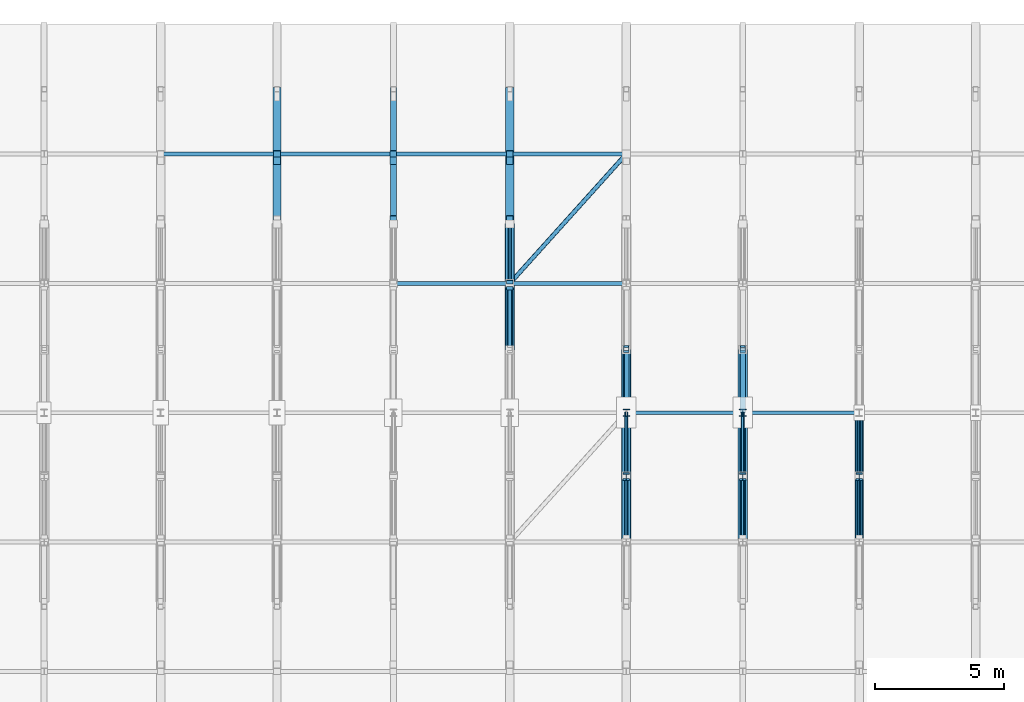
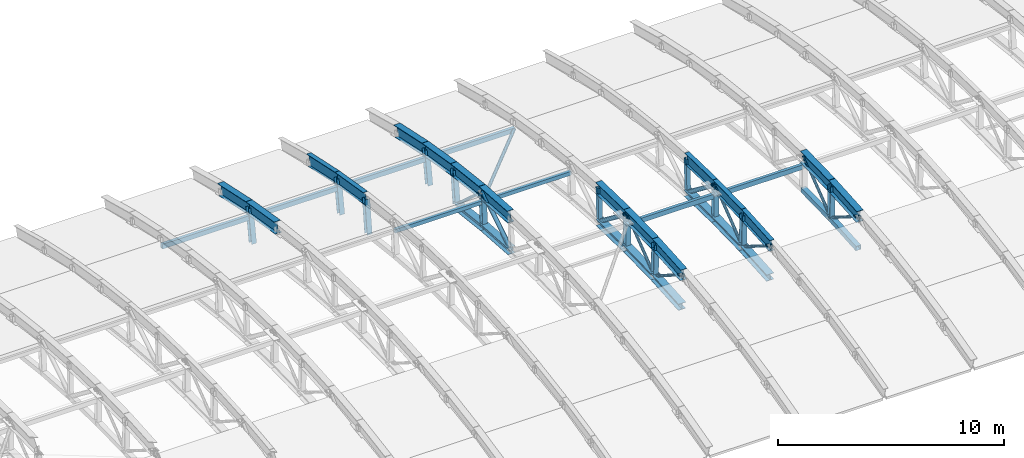
# One storey, part 25 of 53: 42 members, 16 beams.
"""IFC4 building model written with IfcOpenShell, lengths in metres."""

from ifc_helpers import new_model, si_unit, direction, frame, origin, origin_2d, place, context, subcontext, project, spatial, hollow_rectangle, hollow_circle, i_section, extrude, material, material_profile, profile_set, type_object, element, save


model = new_model("IFC4")

# Units and contexts
model_context = context("Model", 3, precision=1e-05, world=origin(), true_north=direction((0.0, 1.0)))
body_context = subcontext(model_context, "Body", "Model", "MODEL_VIEW")
ifc_project = project(units=[si_unit("LENGTHUNIT", "METRE"), si_unit("AREAUNIT", "SQUARE_METRE"), si_unit("VOLUMEUNIT", "CUBIC_METRE"), si_unit("PLANEANGLEUNIT", "RADIAN"), si_unit("MASSUNIT", "GRAM", prefix="KILO")], contexts=[model_context])

# Site, building, storey
site_placement = place(None, origin())
site = spatial("IfcSite", under=ifc_project, at=site_placement, CompositionType="ELEMENT")
building_placement = place(site_placement, origin())
building = spatial("IfcBuilding", under=site, at=building_placement, Name="Cazmaro Siding Exhibition Halls", CompositionType="ELEMENT")
storey_placement = place(building_placement, frame((0.0, 0.0, 21.0)))
storey = spatial("IfcBuildingStorey", under=building, at=storey_placement, Name="L04", CompositionType="ELEMENT", Elevation=21.0)

# Beams
ifc_material_1 = material(Name="Steel ASTM A992 Grade 50", Category="steel")
ifc_material_profile_1 = material_profile(ifc_material_1, i_section(OverallWidth=0.327880859375, OverallDepth=0.626953125, WebThickness=0.01708984375, FlangeThickness=0.028076171875, at=origin_2d()), Name="W24X146")
ifc_profile_set_1 = profile_set([ifc_material_profile_1], Name="Steel ASTM A992 Grade 50")
beam_type_1 = type_object("IfcBeamType", Name="AR-01", PredefinedType="USERDEFINED", material=ifc_profile_set_1)
beam_1_placement = place(storey_placement, frame((139.5, 96.5, 2.44189453125), z_axis=(0.0, 0.997537204184, -0.070139334669), x_axis=(-1.0, 0.0, 0.0)))
element("IfcBeam", 1, at=beam_1_placement, inside=storey, type_object=beam_type_1, Name="Space frame barrel vault arched rib AR-01 BM-1052", ObjectType="ARCHED RIB", PredefinedType="USERDEFINED", context=body_context, shape_type="SweptSolid", body=[
    extrude(i_section(OverallWidth=0.327880859375, OverallDepth=0.626953125, WebThickness=0.01708984375, FlangeThickness=0.028076171875, at=origin_2d()), origin(), (0.0, 0.0, 1.0), 2.506103515625),
])
beam_2_placement = place(storey_placement, frame((139.5, 99.0, 2.26611328125), z_axis=(0.0, 0.993147293786, -0.116869383693), x_axis=(-1.0, 0.0, 0.0)))
element("IfcBeam", 2, at=beam_2_placement, inside=storey, type_object=beam_type_1, Name="Space frame barrel vault arched rib AR-01 BM-1053", ObjectType="ARCHED RIB", PredefinedType="USERDEFINED", context=body_context, shape_type="SweptSolid", body=[
    extrude(i_section(OverallWidth=0.327880859375, OverallDepth=0.626953125, WebThickness=0.01708984375, FlangeThickness=0.028076171875, at=origin_2d()), origin(), (0.0, 0.0, 1.0), 2.517333984375),
])
beam_3_placement = place(storey_placement, frame((139.5, 101.5, 1.971923828125), z_axis=(0.0, 0.98649787474, -0.163774061236), x_axis=(-1.0, 0.0, 0.0)))
element("IfcBeam", 3, at=beam_3_placement, inside=storey, type_object=beam_type_1, Name="Space frame barrel vault arched rib AR-01 BM-1054", ObjectType="ARCHED RIB", PredefinedType="USERDEFINED", context=body_context, shape_type="SweptSolid", body=[
    extrude(i_section(OverallWidth=0.327880859375, OverallDepth=0.626953125, WebThickness=0.01708984375, FlangeThickness=0.028076171875, at=origin_2d()), origin(), (0.0, 0.0, 1.0), 2.5341796875),
])
beam_4_placement = place(storey_placement, frame((139.5, 104.0, 1.556884765625), z_axis=(0.0, 0.977710100146, -0.209959424826), x_axis=(-1.0, 0.0, 0.0)))
element("IfcBeam", 4, at=beam_4_placement, inside=storey, type_object=beam_type_1, Name="Space frame barrel vault arched rib AR-01 BM-1055", ObjectType="ARCHED RIB", PredefinedType="USERDEFINED", context=body_context, shape_type="SweptSolid", body=[
    extrude(i_section(OverallWidth=0.327880859375, OverallDepth=0.626953125, WebThickness=0.01708984375, FlangeThickness=0.028076171875, at=origin_2d()), origin(), (0.0, 0.0, 1.0), 2.556884765625),
])
beam_5_placement = place(storey_placement, frame((153.0, 89.0, 2.26611328125), z_axis=(0.0, 0.997537204184, 0.070139334669), x_axis=(-1.0, 0.0, 0.0)))
element("IfcBeam", 5, at=beam_5_placement, inside=storey, type_object=beam_type_1, Name="Space frame barrel vault arched rib AR-01 BM-1121", ObjectType="ARCHED RIB", PredefinedType="USERDEFINED", context=body_context, shape_type="SweptSolid", body=[
    extrude(i_section(OverallWidth=0.327880859375, OverallDepth=0.626953125, WebThickness=0.01708984375, FlangeThickness=0.028076171875, at=origin_2d()), origin(), (0.0, 0.0, 1.0), 2.506103515625),
])
beam_6_placement = place(storey_placement, frame((153.0, 91.5, 2.44189453125), z_axis=(0.0, 0.999730009742, 0.023235912336), x_axis=(-1.0, 0.0, 0.0)))
element("IfcBeam", 6, at=beam_6_placement, inside=storey, type_object=beam_type_1, Name="Space frame barrel vault arched rib AR-01 BM-1122", ObjectType="ARCHED RIB", PredefinedType="USERDEFINED", context=body_context, shape_type="SweptSolid", body=[
    extrude(i_section(OverallWidth=0.327880859375, OverallDepth=0.626953125, WebThickness=0.01708984375, FlangeThickness=0.028076171875, at=origin_2d()), origin(), (0.0, 0.0, 1.0), 2.500732421875),
])
ifc_material_2 = material(Name="Steel ASTM A992 Grade 50", Category="steel")
ifc_material_profile_2 = material_profile(ifc_material_2, i_section(OverallWidth=0.324951171875, OverallDepth=0.612060546875, WebThickness=0.012939453125, FlangeThickness=0.01904296875, at=origin_2d()), Name="W24X104")
ifc_profile_set_2 = profile_set([ifc_material_profile_2], Name="Steel ASTM A992 Grade 50")
beam_type_2 = type_object("IfcBeamType", Name="AR-02", PredefinedType="USERDEFINED", material=ifc_profile_set_2)
beam_7_placement = place(storey_placement, frame((130.5, 101.5, 1.971923828125), z_axis=(0.0, 0.98649787474, -0.163774061236), x_axis=(-1.0, 0.0, 0.0)))
element("IfcBeam", 7, at=beam_7_placement, inside=storey, type_object=beam_type_2, Name="Space frame barrel vault arched rib AR-02 BM-1006", ObjectType="ARCHED RIB", PredefinedType="USERDEFINED", context=body_context, shape_type="SweptSolid", body=[
    extrude(i_section(OverallWidth=0.324951171875, OverallDepth=0.612060546875, WebThickness=0.012939453125, FlangeThickness=0.01904296875, at=origin_2d()), origin(), (0.0, 0.0, 1.0), 2.5341796875),
])
beam_8_placement = place(storey_placement, frame((130.5, 104.0, 1.556884765625), z_axis=(0.0, 0.977710100146, -0.209959424826), x_axis=(-1.0, 0.0, 0.0)))
element("IfcBeam", 8, at=beam_8_placement, inside=storey, type_object=beam_type_2, Name="Space frame barrel vault arched rib AR-02 BM-1007", ObjectType="ARCHED RIB", PredefinedType="USERDEFINED", context=body_context, shape_type="SweptSolid", body=[
    extrude(i_section(OverallWidth=0.324951171875, OverallDepth=0.612060546875, WebThickness=0.012939453125, FlangeThickness=0.01904296875, at=origin_2d()), origin(), (0.0, 0.0, 1.0), 2.556884765625),
])
beam_9_placement = place(storey_placement, frame((144.0, 89.0, 2.26611328125), z_axis=(0.0, 0.997537204184, 0.070139334669), x_axis=(-1.0, 0.0, 0.0)))
element("IfcBeam", 9, at=beam_9_placement, inside=storey, type_object=beam_type_2, Name="Space frame barrel vault arched rib AR-02 BM-1073", ObjectType="ARCHED RIB", PredefinedType="USERDEFINED", context=body_context, shape_type="SweptSolid", body=[
    extrude(i_section(OverallWidth=0.324951171875, OverallDepth=0.612060546875, WebThickness=0.012939453125, FlangeThickness=0.01904296875, at=origin_2d()), origin(), (0.0, 0.0, 1.0), 2.506103515625),
])
for number, where, z_axis, x_axis, name in (
    (10, (144.0, 91.5, 2.44189453125), (0.0, 0.999730009742, 0.023235912336), (-1.0, 0.0, 0.0), "Space frame barrel vault arched rib AR-02 BM-1074"),
    (11, (144.0, 94.0, 2.5), (0.0, 0.999730009742, -0.023235912336), (-1.0, 0.0, 0.0), "Space frame barrel vault arched rib AR-02 BM-1075"),
):
    element("IfcBeam", number, at=place(storey_placement, frame(where, z_axis=z_axis, x_axis=x_axis)), inside=storey, type_object=beam_type_2, Name=name, ObjectType="ARCHED RIB", PredefinedType="USERDEFINED", context=body_context, shape_type="SweptSolid", body=[
        extrude(i_section(OverallWidth=0.324951171875, OverallDepth=0.612060546875, WebThickness=0.012939453125, FlangeThickness=0.01904296875, at=origin_2d()), origin(), (0.0, 0.0, 1.0), 2.500732421875),
    ])
ifc_material_3 = material(Name="Steel ASTM A992 Grade 50", Category="steel")
ifc_material_profile_3 = material_profile(ifc_material_3, i_section(OverallWidth=0.22900390625, OverallDepth=0.612060546875, WebThickness=0.011962890625, FlangeThickness=0.02001953125, at=origin_2d()), Name="W24X84")
ifc_profile_set_3 = profile_set([ifc_material_profile_3], Name="Steel ASTM A992 Grade 50")
beam_type_3 = type_object("IfcBeamType", Name="AR-03", PredefinedType="USERDEFINED", material=ifc_profile_set_3)
beam_10_placement = place(storey_placement, frame((135.0, 101.5, 1.971923828125), z_axis=(0.0, 0.98649787474, -0.163774061236), x_axis=(-1.0, 0.0, 0.0)))
element("IfcBeam", 12, at=beam_10_placement, inside=storey, type_object=beam_type_3, Name="Space frame barrel vault arched rib AR-03 BM-1030", ObjectType="ARCHED RIB", PredefinedType="USERDEFINED", context=body_context, shape_type="SweptSolid", body=[
    extrude(i_section(OverallWidth=0.22900390625, OverallDepth=0.612060546875, WebThickness=0.011962890625, FlangeThickness=0.02001953125, at=origin_2d()), origin(), (0.0, 0.0, 1.0), 2.5341796875),
])
beam_11_placement = place(storey_placement, frame((135.0, 104.0, 1.556884765625), z_axis=(0.0, 0.977710100146, -0.209959424826), x_axis=(-1.0, 0.0, 0.0)))
element("IfcBeam", 13, at=beam_11_placement, inside=storey, type_object=beam_type_3, Name="Space frame barrel vault arched rib AR-03 BM-1031", ObjectType="ARCHED RIB", PredefinedType="USERDEFINED", context=body_context, shape_type="SweptSolid", body=[
    extrude(i_section(OverallWidth=0.22900390625, OverallDepth=0.612060546875, WebThickness=0.011962890625, FlangeThickness=0.02001953125, at=origin_2d()), origin(), (0.0, 0.0, 1.0), 2.556884765625),
])
beam_12_placement = place(storey_placement, frame((148.5, 89.0, 2.26611328125), z_axis=(0.0, 0.997537204184, 0.070139334669), x_axis=(-1.0, 0.0, 0.0)))
element("IfcBeam", 14, at=beam_12_placement, inside=storey, type_object=beam_type_3, Name="Space frame barrel vault arched rib AR-03 BM-1097", ObjectType="ARCHED RIB", PredefinedType="USERDEFINED", context=body_context, shape_type="SweptSolid", body=[
    extrude(i_section(OverallWidth=0.22900390625, OverallDepth=0.612060546875, WebThickness=0.011962890625, FlangeThickness=0.02001953125, at=origin_2d()), origin(), (0.0, 0.0, 1.0), 2.506103515625),
])
for number, where, z_axis, x_axis, name in (
    (15, (148.5, 91.5, 2.44189453125), (0.0, 0.999730009742, 0.023235912336), (-1.0, 0.0, 0.0), "Space frame barrel vault arched rib AR-03 BM-1098"),
    (16, (148.5, 94.0, 2.5), (0.0, 0.999730009742, -0.023235912336), (-1.0, 0.0, 0.0), "Space frame barrel vault arched rib AR-03 BM-1099"),
):
    element("IfcBeam", number, at=place(storey_placement, frame(where, z_axis=z_axis, x_axis=x_axis)), inside=storey, type_object=beam_type_3, Name=name, ObjectType="ARCHED RIB", PredefinedType="USERDEFINED", context=body_context, shape_type="SweptSolid", body=[
        extrude(i_section(OverallWidth=0.22900390625, OverallDepth=0.612060546875, WebThickness=0.011962890625, FlangeThickness=0.02001953125, at=origin_2d()), origin(), (0.0, 0.0, 1.0), 2.500732421875),
    ])

# Members
ifc_material_4 = material(Name="Steel ASTM A500 Grade C", Category="steel")
ifc_material_profile_4 = material_profile(ifc_material_4, hollow_rectangle(XDim=0.152099609375, YDim=0.202880859375, WallThickness=0.011962890625, at=origin_2d()), Name="HSS8X6X1/2")
ifc_profile_set_4 = profile_set([ifc_material_profile_4], Name="Steel ASTM A500 Grade C")
member_type_1 = type_object("IfcMemberType", Name="RP-01", PredefinedType="PURLIN", material=ifc_profile_set_4)
for number, where, z_axis, x_axis, name in (
    (17, (135.0, 99.0, 1.72607421875), (1.0, 0.0, 0.0), (0.0, 1.0, 0.0), "Space frame barrel vault purlin RP-01 MEM-2208"),
    (18, (139.5, 99.0, 1.72607421875), (1.0, 0.0, 0.0), (0.0, 1.0, 0.0), "Space frame barrel vault purlin RP-01 MEM-2219"),
):
    element("IfcMember", number, at=place(storey_placement, frame(where, z_axis=z_axis, x_axis=x_axis)), inside=storey, type_object=member_type_1, Name=name, PredefinedType="PURLIN", context=body_context, shape_type="SweptSolid", body=[
        extrude(hollow_rectangle(XDim=0.152099609375, YDim=0.202880859375, WallThickness=0.011962890625, at=origin_2d()), origin(), (0.0, 0.0, 1.0), 4.5),
    ])
ifc_material_5 = material(Name="Steel ASTM A500 Grade C", Category="steel")
ifc_material_profile_5 = material_profile(ifc_material_5, hollow_rectangle(XDim=0.152099609375, YDim=0.25390625, WallThickness=0.011962890625, at=origin_2d()), Name="HSS10X6X1/2")
ifc_profile_set_5 = profile_set([ifc_material_profile_5], Name="Steel ASTM A500 Grade C")
member_type_2 = type_object("IfcMemberType", Name="RP-04", PredefinedType="PURLIN", material=ifc_profile_set_5)
for number, where, z_axis, x_axis, name in (
    (19, (126.0, 104.0, 1.01708984375), (1.0, 0.0, 0.0), (0.0, 1.0, 0.0), "Space frame barrel vault purlin RP-04 MEM-2187"),
    (20, (130.5, 104.0, 1.01708984375), (1.0, 0.0, 0.0), (0.0, 1.0, 0.0), "Space frame barrel vault purlin RP-04 MEM-2198"),
    (21, (135.0, 104.0, 1.01708984375), (1.0, 0.0, 0.0), (0.0, 1.0, 0.0), "Space frame barrel vault purlin RP-04 MEM-2209"),
    (22, (139.5, 104.0, 1.01708984375), (1.0, 0.0, 0.0), (0.0, 1.0, 0.0), "Space frame barrel vault purlin RP-04 MEM-2220"),
    (23, (144.0, 94.0, 1.9599609375), (1.0, 0.0, 0.0), (0.0, 1.0, 0.0), "Space frame barrel vault purlin RP-04 MEM-2235"),
    (24, (148.5, 94.0, 1.9599609375), (1.0, 0.0, 0.0), (0.0, 1.0, 0.0), "Space frame barrel vault purlin RP-04 MEM-2246"),
):
    element("IfcMember", number, at=place(storey_placement, frame(where, z_axis=z_axis, x_axis=x_axis)), inside=storey, type_object=member_type_2, Name=name, PredefinedType="PURLIN", context=body_context, shape_type="SweptSolid", body=[
        extrude(hollow_rectangle(XDim=0.152099609375, YDim=0.25390625, WallThickness=0.011962890625, at=origin_2d()), origin(), (0.0, 0.0, 1.0), 4.5),
    ])
ifc_material_6 = material(Name="Steel ASTM A500 Grade C", Category="steel")
ifc_material_profile_6 = material_profile(ifc_material_6, hollow_rectangle(XDim=0.25390625, YDim=0.25390625, WallThickness=0.014892578125, at=origin_2d()), Name="HSS10X10X5/8")
ifc_profile_set_6 = profile_set([ifc_material_profile_6], Name="Steel ASTM A500 Grade C")
member_type_3 = type_object("IfcMemberType", Name="TC-01", PredefinedType="CHORD", material=ifc_profile_set_6)
member_1_placement = place(storey_placement, frame((153.0, 89.139892578125, 0.472900390625), z_axis=(0.0, 0.997529419526, 0.070249962135), x_axis=(-1.0, 0.0, 0.0)))
element("IfcMember", 25, at=member_1_placement, inside=storey, type_object=member_type_3, Name="Space frame barrel vault bottom chord TC-01 MEM-1677", PredefinedType="CHORD", context=body_context, shape_type="SweptSolid", body=[
    extrude(hollow_rectangle(XDim=0.25390625, YDim=0.25390625, WallThickness=0.014892578125, at=origin_2d()), origin(), (0.0, 0.0, 1.0), 2.436279296875),
])
member_2_placement = place(storey_placement, frame((153.0, 91.570068359375, 0.64404296875), z_axis=(0.0, 0.99973541783, 0.023002050707), x_axis=(-1.0, 0.0, 0.0)))
element("IfcMember", 26, at=member_2_placement, inside=storey, type_object=member_type_3, Name="Space frame barrel vault bottom chord TC-01 MEM-1679", PredefinedType="CHORD", context=body_context, shape_type="SweptSolid", body=[
    extrude(hollow_rectangle(XDim=0.25390625, YDim=0.25390625, WallThickness=0.014892578125, at=origin_2d()), origin(), (0.0, 0.0, 1.0), 2.4306640625),
])
ifc_material_7 = material(Name="Steel ASTM A992 Grade 50", Category="steel")
ifc_material_profile_7 = material_profile(ifc_material_7, i_section(OverallWidth=0.37109375, OverallDepth=0.364013671875, WebThickness=0.012939453125, FlangeThickness=0.02197265625, at=origin_2d()), Name="W14X109")
ifc_profile_set_7 = profile_set([ifc_material_profile_7], Name="Steel ASTM A992 Grade 50")
member_type_4 = type_object("IfcMemberType", Name="TC-06", PredefinedType="CHORD", material=ifc_profile_set_7)
member_3_placement = place(storey_placement, frame((139.5, 96.429931640625, 0.64404296875), z_axis=(0.0, 0.997529419526, -0.070249962135), x_axis=(-1.0, 0.0, 0.0)))
element("IfcMember", 27, at=member_3_placement, inside=storey, type_object=member_type_4, Name="Space frame barrel vault bottom chord TC-06 MEM-1470", PredefinedType="CHORD", context=body_context, shape_type="SweptSolid", body=[
    extrude(i_section(OverallWidth=0.37109375, OverallDepth=0.364013671875, WebThickness=0.012939453125, FlangeThickness=0.02197265625, at=origin_2d()), origin(), (0.0, 0.0, 1.0), 2.436279296875),
])
member_4_placement = place(storey_placement, frame((139.5, 98.860107421875, 0.472900390625), z_axis=(0.0, 0.993149923187, -0.116847037079), x_axis=(-1.0, 0.0, 0.0)))
element("IfcMember", 28, at=member_4_placement, inside=storey, type_object=member_type_4, Name="Space frame barrel vault bottom chord TC-06 MEM-1472", PredefinedType="CHORD", context=body_context, shape_type="SweptSolid", body=[
    extrude(i_section(OverallWidth=0.37109375, OverallDepth=0.364013671875, WebThickness=0.012939453125, FlangeThickness=0.02197265625, at=origin_2d()), origin(), (0.0, 0.0, 1.0), 2.44677734375),
])
member_5_placement = place(storey_placement, frame((144.0, 89.139892578125, 0.472900390625), z_axis=(0.0, 0.997529419526, 0.070249962135), x_axis=(-1.0, 0.0, 0.0)))
element("IfcMember", 29, at=member_5_placement, inside=storey, type_object=member_type_4, Name="Space frame barrel vault bottom chord TC-06 MEM-1535", PredefinedType="CHORD", context=body_context, shape_type="SweptSolid", body=[
    extrude(i_section(OverallWidth=0.37109375, OverallDepth=0.364013671875, WebThickness=0.012939453125, FlangeThickness=0.02197265625, at=origin_2d()), origin(), (0.0, 0.0, 1.0), 2.436279296875),
])
for number, where, z_axis, x_axis, name in (
    (30, (144.0, 91.570068359375, 0.64404296875), (0.0, 0.99973541783, 0.023002050707), (-1.0, 0.0, 0.0), "Space frame barrel vault bottom chord TC-06 MEM-1537"),
    (31, (144.0, 94.0, 0.699951171875), (0.0, 0.99973541783, -0.023002050707), (-1.0, 0.0, 0.0), "Space frame barrel vault bottom chord TC-06 MEM-1539"),
):
    element("IfcMember", number, at=place(storey_placement, frame(where, z_axis=z_axis, x_axis=x_axis)), inside=storey, type_object=member_type_4, Name=name, PredefinedType="CHORD", context=body_context, shape_type="SweptSolid", body=[
        extrude(i_section(OverallWidth=0.37109375, OverallDepth=0.364013671875, WebThickness=0.012939453125, FlangeThickness=0.02197265625, at=origin_2d()), origin(), (0.0, 0.0, 1.0), 2.4306640625),
    ])
member_6_placement = place(storey_placement, frame((148.5, 89.139892578125, 0.472900390625), z_axis=(0.0, 0.997529419526, 0.070249962135), x_axis=(-1.0, 0.0, 0.0)))
element("IfcMember", 32, at=member_6_placement, inside=storey, type_object=member_type_4, Name="Space frame barrel vault bottom chord TC-06 MEM-1606", PredefinedType="CHORD", context=body_context, shape_type="SweptSolid", body=[
    extrude(i_section(OverallWidth=0.37109375, OverallDepth=0.364013671875, WebThickness=0.012939453125, FlangeThickness=0.02197265625, at=origin_2d()), origin(), (0.0, 0.0, 1.0), 2.436279296875),
])
for number, where, z_axis, x_axis, name in (
    (33, (148.5, 91.570068359375, 0.64404296875), (0.0, 0.99973541783, 0.023002050707), (-1.0, 0.0, 0.0), "Space frame barrel vault bottom chord TC-06 MEM-1608"),
    (34, (148.5, 94.0, 0.699951171875), (0.0, 0.99973541783, -0.023002050707), (-1.0, 0.0, 0.0), "Space frame barrel vault bottom chord TC-06 MEM-1610"),
):
    element("IfcMember", number, at=place(storey_placement, frame(where, z_axis=z_axis, x_axis=x_axis)), inside=storey, type_object=member_type_4, Name=name, PredefinedType="CHORD", context=body_context, shape_type="SweptSolid", body=[
        extrude(i_section(OverallWidth=0.37109375, OverallDepth=0.364013671875, WebThickness=0.012939453125, FlangeThickness=0.02197265625, at=origin_2d()), origin(), (0.0, 0.0, 1.0), 2.4306640625),
    ])
ifc_material_8 = material(Name="Steel ASTM A500 Grade C", Category="steel")
ifc_material_profile_8 = material_profile(ifc_material_8, hollow_rectangle(XDim=0.202880859375, YDim=0.202880859375, WallThickness=0.011962890625, at=origin_2d()), Name="HSS8X8X1/2")
ifc_profile_set_8 = profile_set([ifc_material_profile_8], Name="Steel ASTM A500 Grade C")
member_type_5 = type_object("IfcMemberType", Name="TP-01", PredefinedType="POST", material=ifc_profile_set_8)
for number, where, z_axis, x_axis, name in (
    (35, (144.0, 96.429931640625, 0.64404296875), (0.0, 0.038943818889, 0.999241401749), (-1.0, 0.0, 0.0), "Space frame barrel vault post TP-01 MEM-1575"),
    (36, (148.5, 96.429931640625, 0.64404296875), (0.0, 0.038943818889, 0.999241401749), (-1.0, 0.0, 0.0), "Space frame barrel vault post TP-01 MEM-1646"),
):
    element("IfcMember", number, at=place(storey_placement, frame(where, z_axis=z_axis, x_axis=x_axis)), inside=storey, type_object=member_type_5, Name=name, PredefinedType="POST", context=body_context, shape_type="SweptSolid", body=[
        extrude(hollow_rectangle(XDim=0.202880859375, YDim=0.202880859375, WallThickness=0.011962890625, at=origin_2d()), origin(), (0.0, 0.0, 1.0), 1.79931640625),
    ])
ifc_material_9 = material(Name="Steel ASTM A992 Grade 50", Category="steel")
ifc_material_profile_9 = material_profile(ifc_material_9, i_section(OverallWidth=0.25390625, OverallDepth=0.25390625, WebThickness=0.009033203125, FlangeThickness=0.013916015625, at=origin_2d()), Name="W10X49")
ifc_profile_set_9 = profile_set([ifc_material_profile_9], Name="Steel ASTM A992 Grade 50")
member_type_6 = type_object("IfcMemberType", Name="TP-04", PredefinedType="POST", material=ifc_profile_set_9)
member_7_placement = place(storey_placement, frame((130.5, 103.719970703125, -0.217041015625), z_axis=(0.0, 0.155927668857, 0.987768475952), x_axis=(-1.0, 0.0, 0.0)))
element("IfcMember", 37, at=member_7_placement, inside=storey, type_object=member_type_6, Name="Space frame barrel vault post TP-04 MEM-1365", PredefinedType="POST", context=body_context, shape_type="SweptSolid", body=[
    extrude(i_section(OverallWidth=0.25390625, OverallDepth=0.25390625, WebThickness=0.009033203125, FlangeThickness=0.013916015625, at=origin_2d()), origin(), (0.0, 0.0, 1.0), 1.7958984375),
])
member_8_placement = place(storey_placement, frame((135.0, 101.2900390625, 0.18701171875), z_axis=(0.0, 0.116825484133, 0.993152458718), x_axis=(-1.0, 0.0, 0.0)))
element("IfcMember", 38, at=member_8_placement, inside=storey, type_object=member_type_6, Name="Space frame barrel vault post TP-04 MEM-1435", PredefinedType="POST", context=body_context, shape_type="SweptSolid", body=[
    extrude(i_section(OverallWidth=0.25390625, OverallDepth=0.25390625, WebThickness=0.009033203125, FlangeThickness=0.013916015625, at=origin_2d()), origin(), (0.0, 0.0, 1.0), 1.797119140625),
])
member_9_placement = place(storey_placement, frame((135.0, 103.719970703125, -0.217041015625), z_axis=(0.0, 0.155927668857, 0.987768475952), x_axis=(-1.0, 0.0, 0.0)))
element("IfcMember", 39, at=member_9_placement, inside=storey, type_object=member_type_6, Name="Space frame barrel vault post TP-04 MEM-1436", PredefinedType="POST", context=body_context, shape_type="SweptSolid", body=[
    extrude(i_section(OverallWidth=0.25390625, OverallDepth=0.25390625, WebThickness=0.009033203125, FlangeThickness=0.013916015625, at=origin_2d()), origin(), (0.0, 0.0, 1.0), 1.7958984375),
])
member_10_placement = place(storey_placement, frame((139.5, 98.860107421875, 0.472900390625), z_axis=(0.0, 0.077775943468, 0.996970863475), x_axis=(-1.0, 0.0, 0.0)))
element("IfcMember", 40, at=member_10_placement, inside=storey, type_object=member_type_6, Name="Space frame barrel vault post TP-04 MEM-1505", PredefinedType="POST", context=body_context, shape_type="SweptSolid", body=[
    extrude(i_section(OverallWidth=0.25390625, OverallDepth=0.25390625, WebThickness=0.009033203125, FlangeThickness=0.013916015625, at=origin_2d()), origin(), (0.0, 0.0, 1.0), 1.798583984375),
])
member_11_placement = place(storey_placement, frame((139.5, 101.2900390625, 0.18701171875), z_axis=(0.0, 0.116825484133, 0.993152458718), x_axis=(-1.0, 0.0, 0.0)))
element("IfcMember", 41, at=member_11_placement, inside=storey, type_object=member_type_6, Name="Space frame barrel vault post TP-04 MEM-1506", PredefinedType="POST", context=body_context, shape_type="SweptSolid", body=[
    extrude(i_section(OverallWidth=0.25390625, OverallDepth=0.25390625, WebThickness=0.009033203125, FlangeThickness=0.013916015625, at=origin_2d()), origin(), (0.0, 0.0, 1.0), 1.797119140625),
])
member_12_placement = place(storey_placement, frame((139.5, 103.719970703125, -0.217041015625), z_axis=(0.0, 0.155927668857, 0.987768475952), x_axis=(-1.0, 0.0, 0.0)))
element("IfcMember", 42, at=member_12_placement, inside=storey, type_object=member_type_6, Name="Space frame barrel vault post TP-04 MEM-1507", PredefinedType="POST", context=body_context, shape_type="SweptSolid", body=[
    extrude(i_section(OverallWidth=0.25390625, OverallDepth=0.25390625, WebThickness=0.009033203125, FlangeThickness=0.013916015625, at=origin_2d()), origin(), (0.0, 0.0, 1.0), 1.7958984375),
])
member_13_placement = place(storey_placement, frame((144.0, 91.570068359375, 0.64404296875), z_axis=(0.0, -0.038943818889, 0.999241401749), x_axis=(1.0, 0.0, 0.0)))
element("IfcMember", 43, at=member_13_placement, inside=storey, type_object=member_type_6, Name="Space frame barrel vault post TP-04 MEM-1573", PredefinedType="POST", context=body_context, shape_type="SweptSolid", body=[
    extrude(i_section(OverallWidth=0.25390625, OverallDepth=0.25390625, WebThickness=0.009033203125, FlangeThickness=0.013916015625, at=origin_2d()), origin(), (0.0, 0.0, 1.0), 1.79931640625),
])
member_14_placement = place(storey_placement, frame((144.0, 94.0, 0.699951171875), z_axis=(0.0, 0.0, 1.0), x_axis=(1.0, 0.0, 0.0)))
element("IfcMember", 44, at=member_14_placement, inside=storey, type_object=member_type_6, Name="Space frame barrel vault post TP-04 MEM-1574", PredefinedType="POST", context=body_context, shape_type="SweptSolid", body=[
    extrude(i_section(OverallWidth=0.25390625, OverallDepth=0.25390625, WebThickness=0.009033203125, FlangeThickness=0.013916015625, at=origin_2d()), origin(), (0.0, 0.0, 1.0), 1.800048828125),
])
member_15_placement = place(storey_placement, frame((148.5, 91.570068359375, 0.64404296875), z_axis=(0.0, -0.038943818889, 0.999241401749), x_axis=(1.0, 0.0, 0.0)))
element("IfcMember", 45, at=member_15_placement, inside=storey, type_object=member_type_6, Name="Space frame barrel vault post TP-04 MEM-1644", PredefinedType="POST", context=body_context, shape_type="SweptSolid", body=[
    extrude(i_section(OverallWidth=0.25390625, OverallDepth=0.25390625, WebThickness=0.009033203125, FlangeThickness=0.013916015625, at=origin_2d()), origin(), (0.0, 0.0, 1.0), 1.79931640625),
])
member_16_placement = place(storey_placement, frame((148.5, 94.0, 0.699951171875), z_axis=(0.0, 0.0, 1.0), x_axis=(1.0, 0.0, 0.0)))
element("IfcMember", 46, at=member_16_placement, inside=storey, type_object=member_type_6, Name="Space frame barrel vault post TP-04 MEM-1645", PredefinedType="POST", context=body_context, shape_type="SweptSolid", body=[
    extrude(i_section(OverallWidth=0.25390625, OverallDepth=0.25390625, WebThickness=0.009033203125, FlangeThickness=0.013916015625, at=origin_2d()), origin(), (0.0, 0.0, 1.0), 1.800048828125),
])
member_17_placement = place(storey_placement, frame((153.0, 91.570068359375, 0.64404296875), z_axis=(0.0, -0.038943818889, 0.999241401749), x_axis=(1.0, 0.0, 0.0)))
element("IfcMember", 47, at=member_17_placement, inside=storey, type_object=member_type_6, Name="Space frame barrel vault post TP-04 MEM-1715", PredefinedType="POST", context=body_context, shape_type="SweptSolid", body=[
    extrude(i_section(OverallWidth=0.25390625, OverallDepth=0.25390625, WebThickness=0.009033203125, FlangeThickness=0.013916015625, at=origin_2d()), origin(), (0.0, 0.0, 1.0), 1.79931640625),
])
ifc_material_10 = material(Name="Steel ASTM A500 Grade C", Category="steel")
ifc_material_profile_10 = material_profile(ifc_material_10, hollow_circle(Radius=0.109619140625, WallThickness=0.012939453125, at=origin_2d()), Name="PIPE8XS")
ifc_profile_set_10 = profile_set([ifc_material_profile_10], Name="Steel ASTM A500 Grade C")
member_type_7 = type_object("IfcMemberType", Name="WB-01", PredefinedType="BRACE", material=ifc_profile_set_10)
member_18_placement = place(storey_placement, frame((139.5, 96.429931640625, 0.64404296875), z_axis=(0.0, 0.84565684294, 0.533726993872), x_axis=(-1.0, 0.0, 0.0)))
element("IfcMember", 48, at=member_18_placement, inside=storey, type_object=member_type_7, Name="Space frame barrel vault diagonal WB-01 MEM-1471", PredefinedType="BRACE", context=body_context, shape_type="SweptSolid", body=[
    extrude(hollow_circle(Radius=0.109619140625, WallThickness=0.012939453125, at=origin_2d()), origin(), (0.0, 0.0, 1.0), 3.0390625),
])
for number, where, z_axis, x_axis, name in (
    (49, (144.0, 94.0, 2.5), (0.0, 0.794708988455, -0.60699062898), (-1.0, 0.0, 0.0), "Space frame barrel vault diagonal WB-01 MEM-1540"),
    (50, (148.5, 94.0, 2.5), (0.0, 0.794708988455, -0.60699062898), (-1.0, 0.0, 0.0), "Space frame barrel vault diagonal WB-01 MEM-1611"),
):
    element("IfcMember", number, at=place(storey_placement, frame(where, z_axis=z_axis, x_axis=x_axis)), inside=storey, type_object=member_type_7, Name=name, PredefinedType="BRACE", context=body_context, shape_type="SweptSolid", body=[
        extrude(hollow_circle(Radius=0.109619140625, WallThickness=0.012939453125, at=origin_2d()), origin(), (0.0, 0.0, 1.0), 3.0576171875),
    ])
ifc_material_11 = material(Name="Steel ASTM A500 Grade C", Category="steel")
ifc_material_profile_11 = material_profile(ifc_material_11, hollow_circle(Radius=0.083984375, WallThickness=0.01806640625, at=origin_2d()), Name="PIPE6XXS")
ifc_profile_set_11 = profile_set([ifc_material_profile_11], Name="Steel ASTM A500 Grade C")
member_type_8 = type_object("IfcMemberType", Name="WB-05", PredefinedType="BRACE", material=ifc_profile_set_11)
member_19_placement = place(storey_placement, frame((139.5, 99.0, 1.72607421875), z_axis=(0.66527981217, 0.7391997913, -0.104816220407), x_axis=(-0.743294146247, 0.668964731622, 0.0)))
element("IfcMember", 51, at=member_19_placement, inside=storey, type_object=member_type_8, Name="Space frame barrel vault wind brace WB-05 MEM-2226", PredefinedType="BRACE", context=body_context, shape_type="SweptSolid", body=[
    extrude(hollow_circle(Radius=0.083984375, WallThickness=0.01806640625, at=origin_2d()), origin(), (0.0, 0.0, 1.0), 6.76416015625),
])
ifc_material_12 = material(Name="Steel ASTM A500 Grade C", Category="steel")
ifc_material_profile_12 = material_profile(ifc_material_12, hollow_circle(Radius=0.070556640625, WallThickness=0.01904296875, at=origin_2d()), Name="PIPE5XXS")
ifc_profile_set_12 = profile_set([ifc_material_profile_12], Name="Steel ASTM A500 Grade C")
member_type_9 = type_object("IfcMemberType", Name="WB-07", PredefinedType="BRACE", material=ifc_profile_set_12)
member_20_placement = place(storey_placement, frame((139.5, 99.0, 2.26611328125), z_axis=(0.0, 0.740382789782, -0.672185483772), x_axis=(-1.0, 0.0, 0.0)))
element("IfcMember", 52, at=member_20_placement, inside=storey, type_object=member_type_9, Name="Space frame barrel vault diagonal WB-07 MEM-1473", PredefinedType="BRACE", context=body_context, shape_type="SweptSolid", body=[
    extrude(hollow_circle(Radius=0.070556640625, WallThickness=0.01904296875, at=origin_2d()), origin(), (0.0, 0.0, 1.0), 3.093017578125),
])
member_21_placement = place(storey_placement, frame((144.0, 89.0, 2.26611328125), z_axis=(0.0, 0.84565684294, -0.533726993872), x_axis=(-1.0, 0.0, 0.0)))
element("IfcMember", 53, at=member_21_placement, inside=storey, type_object=member_type_9, Name="Space frame barrel vault diagonal WB-07 MEM-1536", PredefinedType="BRACE", context=body_context, shape_type="SweptSolid", body=[
    extrude(hollow_circle(Radius=0.070556640625, WallThickness=0.01904296875, at=origin_2d()), origin(), (0.0, 0.0, 1.0), 3.0390625),
])
member_22_placement = place(storey_placement, frame((144.0, 91.570068359375, 0.64404296875), z_axis=(0.0, 0.794708988455, 0.60699062898), x_axis=(-1.0, 0.0, 0.0)))
element("IfcMember", 54, at=member_22_placement, inside=storey, type_object=member_type_9, Name="Space frame barrel vault diagonal WB-07 MEM-1538", PredefinedType="BRACE", context=body_context, shape_type="SweptSolid", body=[
    extrude(hollow_circle(Radius=0.070556640625, WallThickness=0.01904296875, at=origin_2d()), origin(), (0.0, 0.0, 1.0), 3.0576171875),
])
member_23_placement = place(storey_placement, frame((148.5, 89.0, 2.26611328125), z_axis=(0.0, 0.84565684294, -0.533726993872), x_axis=(-1.0, 0.0, 0.0)))
element("IfcMember", 55, at=member_23_placement, inside=storey, type_object=member_type_9, Name="Space frame barrel vault diagonal WB-07 MEM-1607", PredefinedType="BRACE", context=body_context, shape_type="SweptSolid", body=[
    extrude(hollow_circle(Radius=0.070556640625, WallThickness=0.01904296875, at=origin_2d()), origin(), (0.0, 0.0, 1.0), 3.0390625),
])
member_24_placement = place(storey_placement, frame((148.5, 91.570068359375, 0.64404296875), z_axis=(0.0, 0.794708988455, 0.60699062898), x_axis=(-1.0, 0.0, 0.0)))
element("IfcMember", 56, at=member_24_placement, inside=storey, type_object=member_type_9, Name="Space frame barrel vault diagonal WB-07 MEM-1609", PredefinedType="BRACE", context=body_context, shape_type="SweptSolid", body=[
    extrude(hollow_circle(Radius=0.070556640625, WallThickness=0.01904296875, at=origin_2d()), origin(), (0.0, 0.0, 1.0), 3.0576171875),
])
member_25_placement = place(storey_placement, frame((153.0, 89.0, 2.26611328125), z_axis=(0.0, 0.84565684294, -0.533726993872), x_axis=(-1.0, 0.0, 0.0)))
element("IfcMember", 57, at=member_25_placement, inside=storey, type_object=member_type_9, Name="Space frame barrel vault diagonal WB-07 MEM-1678", PredefinedType="BRACE", context=body_context, shape_type="SweptSolid", body=[
    extrude(hollow_circle(Radius=0.070556640625, WallThickness=0.01904296875, at=origin_2d()), origin(), (0.0, 0.0, 1.0), 3.0390625),
])
member_26_placement = place(storey_placement, frame((153.0, 91.570068359375, 0.64404296875), z_axis=(0.0, 0.794708988455, 0.60699062898), x_axis=(-1.0, 0.0, 0.0)))
element("IfcMember", 58, at=member_26_placement, inside=storey, type_object=member_type_9, Name="Space frame barrel vault diagonal WB-07 MEM-1680", PredefinedType="BRACE", context=body_context, shape_type="SweptSolid", body=[
    extrude(hollow_circle(Radius=0.070556640625, WallThickness=0.01904296875, at=origin_2d()), origin(), (0.0, 0.0, 1.0), 3.0576171875),
])

save(model, "model.ifc")
